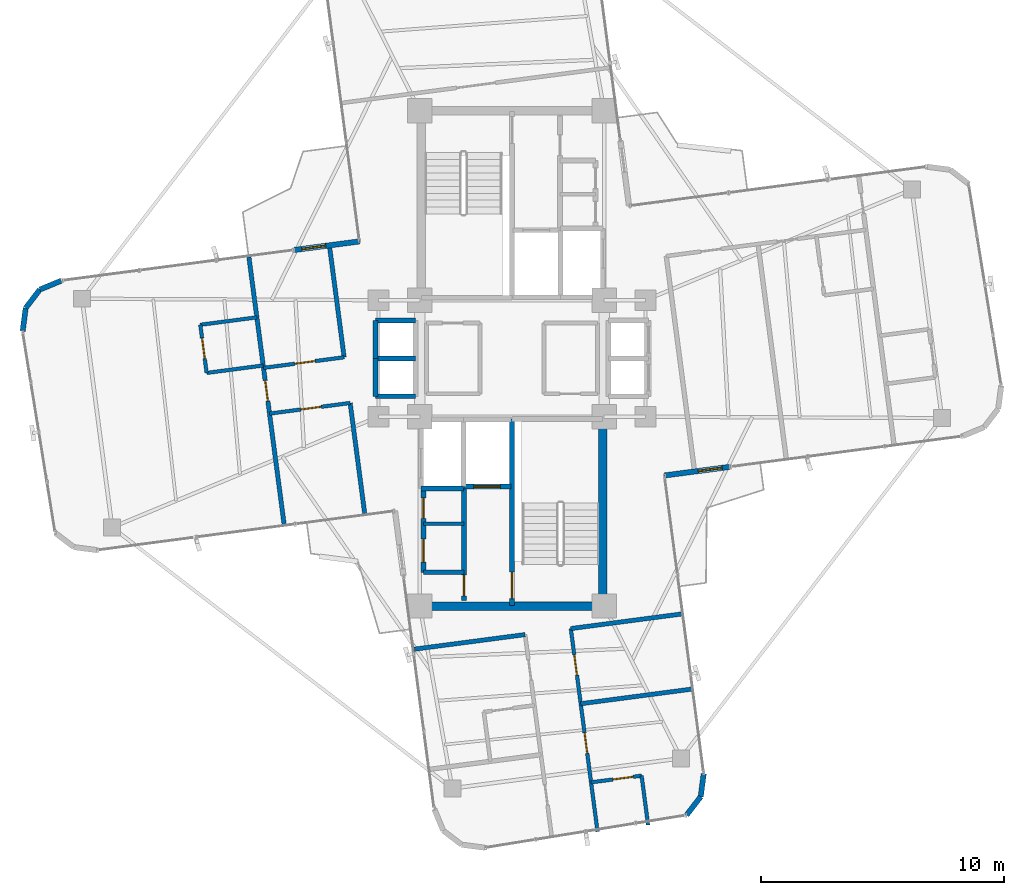
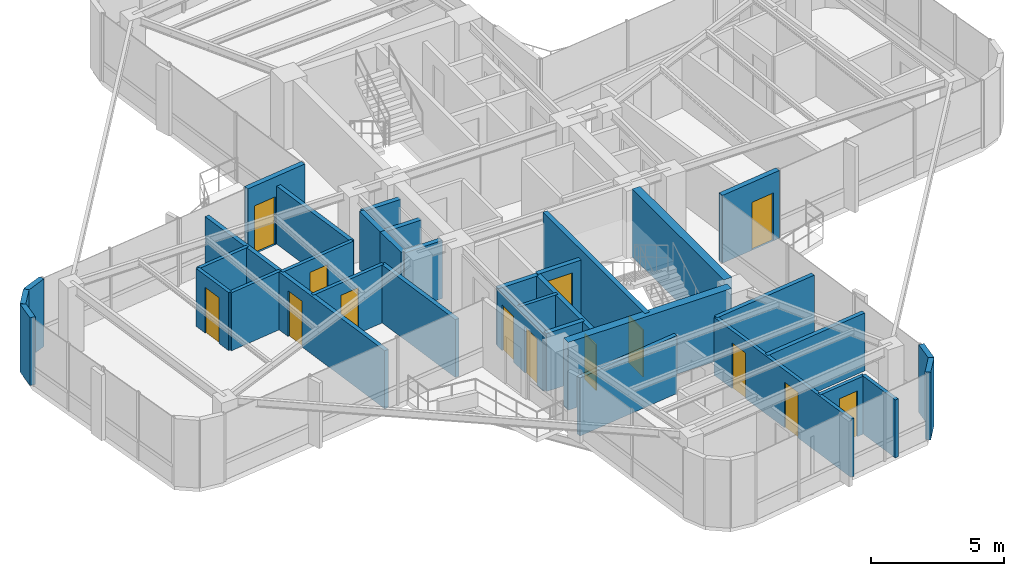
# One storey, part 19 of 22: 35 walls, 14 doors, 14 openings.
"""IFC4 building model written with IfcOpenShell, lengths in metres."""

from ifc_helpers import new_model, si_unit, direction, frame, frame_2d, origin, origin_2d, place, context, subcontext, project, spatial, rectangle, extrude, source, transform, mapped, material, layer, layer_set, type_object, element, fill, save


model = new_model("IFC4")

# Units and contexts
model_context = context("Model", 3, precision=1e-05, world=origin(), true_north=direction((0.0, 1.0)))
body_context = subcontext(model_context, "Body", "Model", "MODEL_VIEW")
ifc_project = project(units=[si_unit("LENGTHUNIT", "METRE"), si_unit("AREAUNIT", "SQUARE_METRE"), si_unit("VOLUMEUNIT", "CUBIC_METRE"), si_unit("PLANEANGLEUNIT", "RADIAN"), si_unit("MASSUNIT", "GRAM", prefix="KILO")], contexts=[model_context])

# Site, building, storey
site_placement = place(None, origin())
site = spatial("IfcSite", under=ifc_project, at=site_placement, CompositionType="ELEMENT")
building_placement = place(site_placement, origin())
building = spatial("IfcBuilding", under=site, at=building_placement, Name="Sahyath Konkavel Grand Hotel", CompositionType="ELEMENT")
storey_placement = place(building_placement, frame((0.0, 0.0, 269.10009765625)))
storey = spatial("IfcBuildingStorey", under=building, at=storey_placement, Name="L75", CompositionType="ELEMENT", Elevation=269.10009765625)

# Walls
ifc_material_1 = material(Name="Concrete C40/50", Category="concrete")
ifc_layer_1 = layer(ifc_material_1, 0.35009765625)
ifc_layer_set_1 = layer_set([ifc_layer_1], Name="Concrete C40/50")
wall_type_1 = type_object("IfcWallType", Name="CWALL-350", PredefinedType="SHEAR", material=ifc_layer_set_1)
wall_1_placement = place(storey_placement, frame((-3.550048828125, -10.199951171875, 0.0), z_axis=(0.0, 0.0, 1.0), x_axis=(1.0, 0.0, 0.0)))
element("IfcWall", 1, at=wall_1_placement, inside=storey, type_object=wall_type_1, Name="L75 South Core Shear Wall S", PredefinedType="SHEAR", context=body_context, shape_type="SweptSolid", body=[
    extrude(rectangle(XDim=7.10009765625, YDim=0.35009765625, at=frame_2d((3.550048828125, 0.0))), origin(), (0.0, 0.0, 1.0), 3.10986328125),
])
wall_2_placement = place(storey_placement, frame((3.739990234375, -9.75, 0.0), z_axis=(0.0, 0.0, 1.0), x_axis=(0.0, 1.0, 0.0)))
element("IfcWall", 2, at=wall_2_placement, inside=storey, type_object=wall_type_1, Name="L75 South Core Shear Wall E", PredefinedType="SHEAR", context=body_context, shape_type="SweptSolid", body=[
    extrude(rectangle(XDim=6.89990234375, YDim=0.35009765625, at=frame_2d((3.449951171875, 0.0))), origin(), (0.0, 0.0, 1.0), 3.10986328125),
])

# Wall, opening, door
ifc_material_2 = material(Name="Warm Buff Sandstone Insulated Concrete C40/50", Category="masonry")
ifc_layer_2 = layer(ifc_material_2, 0.219970703125)
ifc_layer_set_2 = layer_set([ifc_layer_2], Name="Warm Buff Sandstone Insulated Concrete C40/50")
wall_type_2 = type_object("IfcWallType", Name="WLL-BALC-THRESH", PredefinedType="STANDARD", material=ifc_layer_set_2)
wall_3_placement = place(storey_placement, frame((6.282958984375, -4.821044921875, 0.0), z_axis=(0.0, 0.0, 1.0), x_axis=(0.991451525486, 0.130475563272, 0.0)))
wall_3 = element("IfcWall", 3, at=wall_3_placement, inside=storey, type_object=wall_type_2, Name="L75 Winter-Garden Threshold Wall 0", PredefinedType="STANDARD", context=body_context, shape_type="SweptSolid", body=[
    extrude(rectangle(XDim=2.7001953125, YDim=0.219970703125, at=frame_2d((1.35009765625, 0.0))), origin(), (0.0, 0.0, 1.0), 3.10986328125),
])
opening_1_placement = place(wall_3_placement, frame((1.39990234375, 0.0, 0.0)))
opening_1 = element("IfcOpeningElement", 4, at=opening_1_placement, cuts=wall_3, Name="Opening D-TR1", PredefinedType="OPENING", context=body_context, shape_type="SweptSolid", body=[
    extrude(rectangle(XDim=1.0, YDim=2.199951171875, at=frame_2d((0.5, 1.10009765625))), frame((0.0, 0.1201171875, 0.0), z_axis=(0.0, -1.0, 0.0), x_axis=(1.0, 0.0, 0.0)), (0.0, 0.0, 1.0), 0.239990234375),
])
ifc_material_3 = material(Name="Anodised Bronze Aluminium & Low-E Glazing", Category="aluminium")
door_type_1 = type_object("IfcDoorType", Name="DR-TERRACE-1000", OperationType="NOTDEFINED", PredefinedType="DOOR", material=ifc_material_3)
shared_shape_1 = source(origin(), body_context, "Body", "SweptSolid", [
    extrude(rectangle(XDim=1.0, YDim=0.050048828125, at=origin_2d()), origin(), (0.0, 0.0, 1.0), 2.199951171875),
])
door_1_placement = place(opening_1_placement, frame((0.5, 0.0, 0.0)))
door_1 = element("IfcDoor", 5, at=door_1_placement, inside=storey, type_object=door_type_1, Name="L75 Winter-Garden Terrace Door 0", OperationType="SINGLE_SWING_LEFT", OverallHeight=2.199951171875, OverallWidth=1.0, PredefinedType="DOOR", context=body_context, shape_type="MappedRepresentation", body=[
    mapped(shared_shape_1, transform((0.0, 0.0, 0.0), scale=1.0)),
])
fill(opening_1, door_1)

wall_4_placement = place(storey_placement, frame((-6.282958984375, 4.821044921875, 0.0), z_axis=(0.0, 0.0, 1.0), x_axis=(-0.991451525486, -0.130475563272, 0.0)))
wall_4 = element("IfcWall", 6, at=wall_4_placement, inside=storey, type_object=wall_type_2, Name="L75 Winter-Garden Threshold Wall 16", PredefinedType="STANDARD", context=body_context, shape_type="SweptSolid", body=[
    extrude(rectangle(XDim=2.7001953125, YDim=0.219970703125, at=frame_2d((1.35009765625, 0.0))), origin(), (0.0, 0.0, 1.0), 3.10986328125),
])
opening_2_placement = place(wall_4_placement, frame((1.39990234375, 0.0, 0.0)))
opening_2 = element("IfcOpeningElement", 7, at=opening_2_placement, cuts=wall_4, Name="Opening D-TR1", PredefinedType="OPENING", context=body_context, shape_type="SweptSolid", body=[
    extrude(rectangle(XDim=1.0, YDim=2.199951171875, at=frame_2d((0.5, 1.10009765625))), frame((0.0, 0.1201171875, 0.0), z_axis=(0.0, -1.0, 0.0), x_axis=(1.0, 0.0, 0.0)), (0.0, 0.0, 1.0), 0.239990234375),
])
door_2_placement = place(opening_2_placement, frame((0.5, 0.0, 0.0)))
door_2 = element("IfcDoor", 8, at=door_2_placement, inside=storey, type_object=door_type_1, Name="L75 Winter-Garden Terrace Door 16", OperationType="SINGLE_SWING_LEFT", OverallHeight=2.199951171875, OverallWidth=1.0, PredefinedType="DOOR", context=body_context, shape_type="MappedRepresentation", body=[
    mapped(shared_shape_1, transform((0.0, 0.0, 0.0), scale=1.0)),
])
fill(opening_2, door_2)

# Walls
wall_5_placement = place(storey_placement, frame((-18.56689453125, 3.203857421875, 0.0), z_axis=(0.0, 0.0, 1.0), x_axis=(-0.923926759112, -0.382569397359, 0.0)))
element("IfcWall", 9, at=wall_5_placement, inside=storey, type_object=wall_type_2, Name="L75 Rounded Corner Sandstone Pier 17", PredefinedType="STANDARD", context=body_context, shape_type="SweptSolid", body=[
    extrude(rectangle(XDim=0.957763671875, YDim=0.219970703125, at=frame_2d((0.47900390625, 0.0))), origin(), (0.0, 0.0, 1.0), 3.10986328125),
])
for number, where, z_axis, x_axis, name in (
    (10, (-19.451904296875, 2.83740234375, 0.0), (0.0, 0.0, 1.0), (-0.60861352168, -0.793466811674, 0.0), "L75 Rounded Corner Sandstone Pier 18"),
    (11, (-20.03466796875, 2.07763671875, 0.0), (0.0, 0.0, 1.0), (-0.13056005306, -0.991440402921, 0.0), "L75 Rounded Corner Sandstone Pier 19"),
    (12, (7.1923828125, -18.814208984375, 0.0), (0.0, 0.0, 1.0), (0.608897151398, 0.793249178392, 0.0), "L75 Rounded Corner Sandstone Pier 29"),
):
    element("IfcWall", number, at=place(storey_placement, frame(where, z_axis=z_axis, x_axis=x_axis)), inside=storey, type_object=wall_type_2, Name=name, PredefinedType="STANDARD", context=body_context, shape_type="SweptSolid", body=[
        extrude(rectangle(XDim=0.95751953125, YDim=0.219970703125, at=frame_2d((0.478759765625, 0.0))), origin(), (0.0, 0.0, 1.0), 3.10986328125),
    ])
wall_6_placement = place(storey_placement, frame((7.775390625, -18.0546875, 0.0), z_axis=(0.0, 0.0, 1.0), x_axis=(0.130494070426, 0.991449089759, 0.0)))
element("IfcWall", 13, at=wall_6_placement, inside=storey, type_object=wall_type_2, Name="L75 Rounded Corner Sandstone Pier 30", PredefinedType="STANDARD", context=body_context, shape_type="SweptSolid", body=[
    extrude(rectangle(XDim=0.9580078125, YDim=0.219970703125, at=frame_2d((0.47900390625, 0.0))), origin(), (0.0, 0.0, 1.0), 3.10986328125),
])

# Wall, opening, door
ifc_layer_3 = layer(ifc_material_1, 0.199951171875)
ifc_layer_set_3 = layer_set([ifc_layer_3], Name="Concrete C40/50")
wall_type_3 = type_object("IfcWallType", Name="WLL-CORE-200", PredefinedType="SOLIDWALL", material=ifc_layer_set_3)
wall_7_placement = place(storey_placement, frame((0.0, -10.179931640625, 0.0), z_axis=(0.0, 0.0, 1.0), x_axis=(0.0, 1.0, 0.0)))
wall_7 = element("IfcWall", 14, at=wall_7_placement, inside=storey, type_object=wall_type_3, Name="L75 Stair ST-2 Shaft Wall W", PredefinedType="SOLIDWALL", context=body_context, shape_type="SweptSolid", body=[
    extrude(rectangle(XDim=7.679931640625, YDim=0.199951171875, at=frame_2d((3.83984375, 0.0))), origin(), (0.0, 0.0, 1.0), 3.10986328125),
])
opening_3_placement = place(wall_7_placement, frame((0.280029296875, 0.0, 0.0)))
opening_3 = element("IfcOpeningElement", 15, at=opening_3_placement, cuts=wall_7, Name="Opening D-F12B", PredefinedType="OPENING", context=body_context, shape_type="SweptSolid", body=[
    extrude(rectangle(XDim=1.10009765625, YDim=2.14990234375, at=frame_2d((0.550048828125, 1.074951171875))), frame((0.0, 0.10986328125, 0.0), z_axis=(0.0, -1.0, 0.0), x_axis=(1.0, 0.0, 0.0)), (0.0, 0.0, 1.0), 0.219970703125),
])
ifc_material_4 = material(Name="Steel E350 Smokeproof Fire Door", Category="steel")
door_type_2 = type_object("IfcDoorType", Name="DR-FD120-1100", OperationType="NOTDEFINED", PredefinedType="DOOR", material=ifc_material_4)
shared_shape_2 = source(origin(), body_context, "Body", "SweptSolid", [
    extrude(rectangle(XDim=1.10009765625, YDim=0.050048828125, at=origin_2d()), origin(), (0.0, 0.0, 1.0), 2.14990234375),
])
door_3_placement = place(opening_3_placement, frame((0.550048828125, 0.0, 0.0)))
door_3 = element("IfcDoor", 16, at=door_3_placement, inside=storey, type_object=door_type_2, Name="L75 Stair ST-2 Fire Door", OperationType="SINGLE_SWING_RIGHT", OverallHeight=2.14990234375, OverallWidth=1.10009765625, PredefinedType="DOOR", context=body_context, shape_type="MappedRepresentation", body=[
    mapped(shared_shape_2, transform((0.0, 0.0, 0.0), scale=1.0)),
])
fill(opening_3, door_3)

wall_8_placement = place(storey_placement, frame((-1.97998046875, -9.97998046875, 0.0), z_axis=(0.0, 0.0, 1.0), x_axis=(0.0, 1.0, 0.0)))
wall_8 = element("IfcWall", 17, at=wall_8_placement, inside=storey, type_object=wall_type_3, Name="L75 South Firefighting Lobby Wall W", PredefinedType="SOLIDWALL", context=body_context, shape_type="SweptSolid", body=[
    extrude(rectangle(XDim=4.659912109375, YDim=0.199951171875, at=frame_2d((2.330078125, 0.0))), origin(), (0.0, 0.0, 1.0), 2.659912109375),
])
opening_4_placement = place(wall_8_placement, frame((0.199951171875, 0.0, 0.0)))
opening_4 = element("IfcOpeningElement", 18, at=opening_4_placement, cuts=wall_8, Name="Opening D-F12D", PredefinedType="OPENING", context=body_context, shape_type="SweptSolid", body=[
    extrude(rectangle(XDim=0.85009765625, YDim=2.10009765625, at=frame_2d((0.425048828125, 1.050048828125))), frame((0.0, 0.10986328125, 0.0), z_axis=(0.0, -1.0, 0.0), x_axis=(1.0, 0.0, 0.0)), (0.0, 0.0, 1.0), 0.219970703125),
])
ifc_material_5 = material(Name="Steel E350 Core Fire Door", Category="steel")
door_type_3 = type_object("IfcDoorType", Name="DR-FD120-850", OperationType="NOTDEFINED", PredefinedType="DOOR", material=ifc_material_5)
shared_shape_3 = source(origin(), body_context, "Body", "SweptSolid", [
    extrude(rectangle(XDim=0.85009765625, YDim=0.050048828125, at=origin_2d()), origin(), (0.0, 0.0, 1.0), 2.10009765625),
])
door_4_placement = place(opening_4_placement, frame((0.425048828125, 0.0, 0.0)))
door_4 = element("IfcDoor", 19, at=door_4_placement, inside=storey, type_object=door_type_3, Name="L75 South Firefighting Lobby Door", OperationType="SINGLE_SWING_RIGHT", OverallHeight=2.10009765625, OverallWidth=0.85009765625, PredefinedType="DOOR", context=body_context, shape_type="MappedRepresentation", body=[
    mapped(shared_shape_3, transform((0.0, 0.0, 0.0), scale=1.0)),
])
fill(opening_4, door_4)

wall_9_placement = place(storey_placement, frame((-1.97998046875, -5.280029296875, 0.0), z_axis=(0.0, 0.0, 1.0), x_axis=(1.0, 0.0, 0.0)))
wall_9 = element("IfcWall", 20, at=wall_9_placement, inside=storey, type_object=wall_type_3, Name="L75 Partition SH-FFL2-S", PredefinedType="SOLIDWALL", context=body_context, shape_type="SweptSolid", body=[
    extrude(rectangle(XDim=1.929931640625, YDim=0.199951171875, at=frame_2d((0.96484375, 0.0))), origin(), (0.0, 0.0, 1.0), 2.659912109375),
])
opening_5_placement = place(wall_9_placement, frame((0.39990234375, 0.0, 0.0)))
opening_5 = element("IfcOpeningElement", 21, at=opening_5_placement, cuts=wall_9, Name="Opening LD-11", PredefinedType="OPENING", context=body_context, shape_type="SweptSolid", body=[
    extrude(rectangle(XDim=1.10009765625, YDim=2.199951171875, at=frame_2d((0.550048828125, 1.10009765625))), frame((0.0, 0.10986328125, 0.0), z_axis=(0.0, -1.0, 0.0), x_axis=(1.0, 0.0, 0.0)), (0.0, 0.0, 1.0), 0.219970703125),
])
ifc_material_6 = material(Name="Bronze Lift Landing Door 1100")
door_type_4 = type_object("IfcDoorType", Name="DR-LIFT-1100", OperationType="DOUBLE_DOOR_SLIDING", PredefinedType="DOOR", material=ifc_material_6)
shared_shape_4 = source(origin(), body_context, "Body", "SweptSolid", [
    extrude(rectangle(XDim=1.10009765625, YDim=0.050048828125, at=origin_2d()), origin(), (0.0, 0.0, 1.0), 2.199951171875),
])
door_5_placement = place(opening_5_placement, frame((0.550048828125, 0.0, 0.0)))
door_5 = element("IfcDoor", 22, at=door_5_placement, inside=storey, type_object=door_type_4, Name="L75 Lift FFL-2 Landing Door", OperationType="DOUBLE_DOOR_SLIDING", OverallHeight=2.199951171875, OverallWidth=1.10009765625, PredefinedType="DOOR", context=body_context, shape_type="MappedRepresentation", body=[
    mapped(shared_shape_4, transform((0.0, 0.0, 0.0), scale=1.0)),
])
fill(opening_5, door_5)

# Walls
wall_10_placement = place(storey_placement, frame((-3.739990234375, -5.360107421875, 0.0), z_axis=(0.0, 0.0, 1.0), x_axis=(1.0, 0.0, 0.0)))
element("IfcWall", 23, at=wall_10_placement, inside=storey, type_object=wall_type_3, Name="L75 Partition SH-SVL2-S", PredefinedType="SOLIDWALL", context=body_context, shape_type="SweptSolid", body=[
    extrude(rectangle(XDim=1.739990234375, YDim=0.199951171875, at=frame_2d((0.8701171875, 0.0))), origin(), (0.0, 0.0, 1.0), 2.659912109375),
])
for number, where, z_axis, x_axis, name in (
    (24, (-5.6201171875, 1.56005859375, 0.0), (0.0, 0.0, 1.0), (1.0, 0.0, 0.0), "L75 Partition SH-SL12-N"),
    (25, (-5.6201171875, -1.56005859375, 0.0), (0.0, 0.0, 1.0), (1.0, 0.0, 0.0), "L75 Partition SH-SL12-S"),
    (26, (-5.6201171875, 0.0, 0.0), (0.0, 0.0, 1.0), (1.0, 0.0, 0.0), "L75 Partition SH-SL12-M"),
):
    element("IfcWall", number, at=place(storey_placement, frame(where, z_axis=z_axis, x_axis=x_axis)), inside=storey, type_object=wall_type_3, Name=name, PredefinedType="SOLIDWALL", context=body_context, shape_type="SweptSolid", body=[
        extrude(rectangle(XDim=1.64013671875, YDim=0.199951171875, at=frame_2d((0.820068359375, 0.0))), origin(), (0.0, 0.0, 1.0), 2.659912109375),
    ])
for number, where, z_axis, x_axis, name in (
    (27, (-5.6201171875, 0.0, 0.0), (0.0, 0.0, 1.0), (0.0, 1.0, 0.0), "L75 Partition SH-SL1-W"),
    (28, (-5.6201171875, -1.56005859375, 0.0), (0.0, 0.0, 1.0), (0.0, 1.0, 0.0), "L75 Partition SH-SL2-W"),
):
    element("IfcWall", number, at=place(storey_placement, frame(where, z_axis=z_axis, x_axis=x_axis)), inside=storey, type_object=wall_type_3, Name=name, PredefinedType="SOLIDWALL", context=body_context, shape_type="SweptSolid", body=[
        extrude(rectangle(XDim=1.56005859375, YDim=0.199951171875, at=frame_2d((0.780029296875, 0.0))), origin(), (0.0, 0.0, 1.0), 2.659912109375),
    ])

# Wall, openings, doors
wall_11_placement = place(storey_placement, frame((-3.64990234375, -8.81005859375, 0.0), z_axis=(0.0, 0.0, 1.0), x_axis=(0.0, 1.0, 0.0)))
wall_11 = element("IfcWall", 29, at=wall_11_placement, inside=storey, type_object=wall_type_3, Name="L75 Reclaimed South Core Wall W", PredefinedType="SOLIDWALL", context=body_context, shape_type="SweptSolid", body=[
    extrude(rectangle(XDim=3.43017578125, YDim=0.199951171875, at=frame_2d((1.715087890625, 0.0))), origin(), (0.0, 0.0, 1.0), 2.659912109375),
])
opening_6_placement = place(wall_11_placement, frame((0.419921875, 0.0, 0.0)))
opening_6 = element("IfcOpeningElement", 30, at=opening_6_placement, cuts=wall_11, Name="Opening D-AC95", PredefinedType="OPENING", context=body_context, shape_type="SweptSolid", body=[
    extrude(rectangle(XDim=0.949951171875, YDim=2.14990234375, at=frame_2d((0.47509765625, 1.074951171875))), frame((0.0, 0.10986328125, 0.0), z_axis=(0.0, -1.0, 0.0), x_axis=(1.0, 0.0, 0.0)), (0.0, 0.0, 1.0), 0.219970703125),
])
opening_7_placement = place(wall_11_placement, frame((2.219970703125, 0.0, 0.0)))
opening_7 = element("IfcOpeningElement", 31, at=opening_7_placement, cuts=wall_11, Name="Opening D-F06D", PredefinedType="OPENING", context=body_context, shape_type="SweptSolid", body=[
    extrude(rectangle(XDim=0.85009765625, YDim=2.10009765625, at=frame_2d((0.425048828125, 1.050048828125))), frame((0.0, 0.10986328125, 0.0), z_axis=(0.0, -1.0, 0.0), x_axis=(1.0, 0.0, 0.0)), (0.0, 0.0, 1.0), 0.219970703125),
])
ifc_material_7 = material(Name="Accessible Washroom Timber Door", Category="wood")
door_type_5 = type_object("IfcDoorType", Name="DR-ACC-950", OperationType="NOTDEFINED", PredefinedType="DOOR", material=ifc_material_7)
shared_shape_5 = source(origin(), body_context, "Body", "SweptSolid", [
    extrude(rectangle(XDim=0.949951171875, YDim=0.050048828125, at=origin_2d()), origin(), (0.0, 0.0, 1.0), 2.14990234375),
])
door_6_placement = place(opening_6_placement, frame((0.47509765625, 0.0, 0.0)))
door_6 = element("IfcDoor", 32, at=door_6_placement, inside=storey, type_object=door_type_5, Name="L75 Door SC-REC1-D", OperationType="SINGLE_SWING_LEFT", OverallHeight=2.14990234375, OverallWidth=0.949951171875, PredefinedType="DOOR", context=body_context, shape_type="MappedRepresentation", body=[
    mapped(shared_shape_5, transform((0.0, 0.0, 0.0), scale=1.0)),
])
fill(opening_6, door_6)
ifc_material_8 = material(Name="Fire-Rated Shaft Access Door")
door_type_6 = type_object("IfcDoorType", Name="DR-FD60-850", OperationType="NOTDEFINED", PredefinedType="DOOR", material=ifc_material_8)
door_7_placement = place(opening_7_placement, frame((0.425048828125, 0.0, 0.0)))
door_7 = element("IfcDoor", 33, at=door_7_placement, inside=storey, type_object=door_type_6, Name="L75 Door SC-REC2-D", OperationType="SINGLE_SWING_RIGHT", OverallHeight=2.10009765625, OverallWidth=0.85009765625, PredefinedType="DOOR", context=body_context, shape_type="MappedRepresentation", body=[
    mapped(shared_shape_3, transform((0.0, 0.0, 0.0), scale=1.0)),
])
fill(opening_7, door_7)

# Walls
wall_12_placement = place(storey_placement, frame((-3.64990234375, -8.81005859375, 0.0), z_axis=(0.0, 0.0, 1.0), x_axis=(1.0, 0.0, 0.0)))
element("IfcWall", 34, at=wall_12_placement, inside=storey, type_object=wall_type_3, Name="L75 Partition SC-REC-S", PredefinedType="SOLIDWALL", context=body_context, shape_type="SweptSolid", body=[
    extrude(rectangle(XDim=1.669921875, YDim=0.199951171875, at=frame_2d((0.8349609375, 0.0))), origin(), (0.0, 0.0, 1.0), 2.659912109375),
])
ifc_material_9 = material(Name="Twin-Stud Acoustic Gypsum Plasterboard Partition")
ifc_layer_4 = layer(ifc_material_9, 0.179931640625)
ifc_layer_set_4 = layer_set([ifc_layer_4], Name="Twin-Stud Acoustic Gypsum Plasterboard Partition")
wall_type_4 = type_object("IfcWallType", Name="WLL-DEMISE-180", PredefinedType="PARTITIONING", material=ifc_layer_set_4)
for number, where, z_axis, x_axis, name in (
    (35, (-6.66748046875, -1.8359375, 0.0), (0.0, 0.0, 1.0), (0.130564346904, -0.991439837467, 0.0), "L75 Partition W-INL"),
    (36, (-7.515869140625, 4.6083984375, 0.0), (0.0, 0.0, 1.0), (0.130564346904, -0.991439837467, 0.0), "L75 Partition W-INR"),
):
    element("IfcWall", number, at=place(storey_placement, frame(where, z_axis=z_axis, x_axis=x_axis)), inside=storey, type_object=wall_type_4, Name=name, PredefinedType="PARTITIONING", context=body_context, shape_type="SweptSolid", body=[
        extrude(rectangle(XDim=4.599853515625, YDim=0.179931640625, at=frame_2d((2.2998046875, 0.0))), origin(), (0.0, 0.0, 1.0), 2.659912109375),
    ])

# Wall, opening, door
wall_13_placement = place(storey_placement, frame((-10.837158203125, 4.171142578125, 0.0), z_axis=(0.0, 0.0, 1.0), x_axis=(0.130537009991, -0.991443437127, 0.0)))
wall_13 = element("IfcWall", 37, at=wall_13_placement, inside=storey, type_object=wall_type_4, Name="L75 Partition W-WTIP-END", PredefinedType="PARTITIONING", context=body_context, shape_type="SweptSolid", body=[
    extrude(rectangle(XDim=11.10009765625, YDim=0.179931640625, at=frame_2d((5.550048828125, 0.0))), origin(), (0.0, 0.0, 1.0), 2.659912109375),
])
opening_8_placement = place(wall_13_placement, frame((5.125, 0.0, 0.0)))
opening_8 = element("IfcOpeningElement", 38, at=opening_8_placement, cuts=wall_13, Name="Opening D-F06D", PredefinedType="OPENING", context=body_context, shape_type="SweptSolid", body=[
    extrude(rectangle(XDim=0.85009765625, YDim=2.10009765625, at=frame_2d((0.425048828125, 1.050048828125))), frame((0.0, 0.10009765625, 0.0), z_axis=(0.0, -1.0, 0.0), x_axis=(1.0, 0.0, 0.0)), (0.0, 0.0, 1.0), 0.199951171875),
])
door_8_placement = place(opening_8_placement, frame((0.425048828125, 0.0, 0.0)))
door_8 = element("IfcDoor", 39, at=door_8_placement, inside=storey, type_object=door_type_6, Name="L75 Door W-WTIP-ED", OperationType="SINGLE_SWING_LEFT", OverallHeight=2.10009765625, OverallWidth=0.85009765625, PredefinedType="DOOR", context=body_context, shape_type="MappedRepresentation", body=[
    mapped(shared_shape_3, transform((0.0, 0.0, 0.0), scale=1.0)),
])
fill(opening_8, door_8)

# Walls
for number, where, z_axis, x_axis, name in (
    (40, (2.42333984375, -11.12890625, 0.0), (0.0, 0.0, 1.0), (0.991446706518, 0.130512176195, 0.0), "L75 Partition S-INL"),
    (41, (-4.02099609375, -11.977294921875, 0.0), (0.0, 0.0, 1.0), (0.991446706518, 0.130512176195, 0.0), "L75 Partition S-INR"),
    (42, (2.8310546875, -14.22509765625, 0.0), (0.0, 0.0, 1.0), (0.991446706518, 0.130512176195, 0.0), "L75 Partition S-S1L-DEM"),
):
    element("IfcWall", number, at=place(storey_placement, frame(where, z_axis=z_axis, x_axis=x_axis)), inside=storey, type_object=wall_type_4, Name=name, PredefinedType="PARTITIONING", context=body_context, shape_type="SweptSolid", body=[
        extrude(rectangle(XDim=4.599853515625, YDim=0.179931640625, at=frame_2d((2.2998046875, 0.0))), origin(), (0.0, 0.0, 1.0), 2.659912109375),
    ])
ifc_material_10 = material(Name="Fire-Rated Gypsum Plasterboard Partition")
ifc_layer_5 = layer(ifc_material_10, 0.14990234375)
ifc_layer_set_5 = layer_set([ifc_layer_5], Name="Fire-Rated Gypsum Plasterboard Partition")
wall_type_5 = type_object("IfcWallType", Name="WLL-PART-150", PredefinedType="PARTITIONING", material=ifc_layer_set_5)
wall_14_placement = place(storey_placement, frame((-3.64990234375, -6.81005859375, 0.0), z_axis=(0.0, 0.0, 1.0), x_axis=(1.0, 0.0, 0.0)))
element("IfcWall", 43, at=wall_14_placement, inside=storey, type_object=wall_type_5, Name="L75 Partition SC-REC-M1", PredefinedType="PARTITIONING", context=body_context, shape_type="SweptSolid", body=[
    extrude(rectangle(XDim=1.669921875, YDim=0.14990234375, at=frame_2d((0.8349609375, 0.0))), origin(), (0.0, 0.0, 1.0), 2.659912109375),
])

# Wall, opening, door
wall_15_placement = place(storey_placement, frame((-6.66748046875, -1.8359375, 0.0), z_axis=(0.0, 0.0, 1.0), x_axis=(-0.991444866817, -0.130526150873, 0.0)))
wall_15 = element("IfcWall", 44, at=wall_15_placement, inside=storey, type_object=wall_type_5, Name="L75 Partition W-CL", PredefinedType="PARTITIONING", context=body_context, shape_type="SweptSolid", body=[
    extrude(rectangle(XDim=3.349853515625, YDim=0.14990234375, at=frame_2d((1.6748046875, 0.0))), origin(), (0.0, 0.0, 1.0), 2.659912109375),
])
opening_9_placement = place(wall_15_placement, frame((1.199951171875, 0.0, 0.0)))
opening_9 = element("IfcOpeningElement", 45, at=opening_9_placement, cuts=wall_15, Name="Opening D-F06D", PredefinedType="OPENING", context=body_context, shape_type="SweptSolid", body=[
    extrude(rectangle(XDim=0.85009765625, YDim=2.10009765625, at=frame_2d((0.425048828125, 1.050048828125))), frame((0.0, 0.0849609375, 0.0), z_axis=(0.0, -1.0, 0.0), x_axis=(1.0, 0.0, 0.0)), (0.0, 0.0, 1.0), 0.169921875),
])
door_9_placement = place(opening_9_placement, frame((0.425048828125, 0.0, 0.0)))
door_9 = element("IfcDoor", 46, at=door_9_placement, inside=storey, type_object=door_type_6, Name="L75 Door W-WS3L-D", OperationType="SINGLE_SWING_RIGHT", OverallHeight=2.10009765625, OverallWidth=0.85009765625, PredefinedType="DOOR", context=body_context, shape_type="MappedRepresentation", body=[
    mapped(shared_shape_3, transform((0.0, 0.0, 0.0), scale=1.0)),
])
fill(opening_9, door_9)

wall_16_placement = place(storey_placement, frame((-6.915283203125, 0.0478515625, 0.0), z_axis=(0.0, 0.0, 1.0), x_axis=(-0.991446108327, -0.130516720324, 0.0)))
wall_16 = element("IfcWall", 47, at=wall_16_placement, inside=storey, type_object=wall_type_5, Name="L75 Partition W-CR", PredefinedType="PARTITIONING", context=body_context, shape_type="SweptSolid", body=[
    extrude(rectangle(XDim=3.35009765625, YDim=0.14990234375, at=frame_2d((1.675048828125, 0.0))), origin(), (0.0, 0.0, 1.0), 2.659912109375),
])
opening_10_placement = place(wall_16_placement, frame((1.199951171875, 0.0, 0.0)))
opening_10 = element("IfcOpeningElement", 48, at=opening_10_placement, cuts=wall_16, Name="Opening D-F06D", PredefinedType="OPENING", context=body_context, shape_type="SweptSolid", body=[
    extrude(rectangle(XDim=0.85009765625, YDim=2.10009765625, at=frame_2d((0.425048828125, 1.050048828125))), frame((0.0, 0.0849609375, 0.0), z_axis=(0.0, -1.0, 0.0), x_axis=(1.0, 0.0, 0.0)), (0.0, 0.0, 1.0), 0.169921875),
])
door_10_placement = place(opening_10_placement, frame((0.425048828125, 0.0, 0.0)))
door_10 = element("IfcDoor", 49, at=door_10_placement, inside=storey, type_object=door_type_6, Name="L75 Door W-WS3R-D", OperationType="SINGLE_SWING_LEFT", OverallHeight=2.10009765625, OverallWidth=0.85009765625, PredefinedType="DOOR", context=body_context, shape_type="MappedRepresentation", body=[
    mapped(shared_shape_3, transform((0.0, 0.0, 0.0), scale=1.0)),
])
fill(opening_10, door_10)

# Walls
wall_17_placement = place(storey_placement, frame((-10.249755859375, -0.290283203125, 0.0), z_axis=(0.0, 0.0, 1.0), x_axis=(-0.991436251812, -0.130591571678, 0.0)))
element("IfcWall", 50, at=wall_17_placement, inside=storey, type_object=wall_type_5, Name="L75 Partition W-WTIP-BN", PredefinedType="PARTITIONING", context=body_context, shape_type="SweptSolid", body=[
    extrude(rectangle(XDim=2.349853515625, YDim=0.14990234375, at=frame_2d((1.1748046875, 0.0))), origin(), (0.0, 0.0, 1.0), 2.659912109375),
])
wall_18_placement = place(storey_placement, frame((-10.5107421875, 1.6923828125, 0.0), z_axis=(0.0, 0.0, 1.0), x_axis=(-0.991451466659, -0.130476010281, 0.0)))
element("IfcWall", 51, at=wall_18_placement, inside=storey, type_object=wall_type_5, Name="L75 Partition W-WTIP-BS", PredefinedType="PARTITIONING", context=body_context, shape_type="SweptSolid", body=[
    extrude(rectangle(XDim=2.35009765625, YDim=0.14990234375, at=frame_2d((1.175048828125, 0.0))), origin(), (0.0, 0.0, 1.0), 2.659912109375),
])

# Wall, opening, door
wall_19_placement = place(storey_placement, frame((-12.8408203125, 1.3857421875, 0.0), z_axis=(0.0, 0.0, 1.0), x_axis=(0.130612392842, -0.991433509034, 0.0)))
wall_19 = element("IfcWall", 52, at=wall_19_placement, inside=storey, type_object=wall_type_5, Name="L75 Partition W-WTIP-BE", PredefinedType="PARTITIONING", context=body_context, shape_type="SweptSolid", body=[
    extrude(rectangle(XDim=2.0, YDim=0.14990234375, at=frame_2d((1.0, 0.0))), origin(), (0.0, 0.0, 1.0), 2.659912109375),
])
opening_11_placement = place(wall_19_placement, frame((0.550048828125, 0.0, 0.0)))
opening_11 = element("IfcOpeningElement", 53, at=opening_11_placement, cuts=wall_19, Name="Opening D-BT85", PredefinedType="OPENING", context=body_context, shape_type="SweptSolid", body=[
    extrude(rectangle(XDim=0.85009765625, YDim=2.10009765625, at=frame_2d((0.425048828125, 1.050048828125))), frame((0.0, 0.0849609375, 0.0), z_axis=(0.0, -1.0, 0.0), x_axis=(1.0, 0.0, 0.0)), (0.0, 0.0, 1.0), 0.169921875),
])
ifc_material_11 = material(Name="Moisture-Resistant Teak Bathroom Door")
door_type_7 = type_object("IfcDoorType", Name="DR-BATH-850", OperationType="NOTDEFINED", PredefinedType="DOOR", material=ifc_material_11)
door_11_placement = place(opening_11_placement, frame((0.425048828125, 0.0, 0.0)))
door_11 = element("IfcDoor", 54, at=door_11_placement, inside=storey, type_object=door_type_7, Name="L75 Door W-WTIP-BD", OperationType="SINGLE_SWING_RIGHT", OverallHeight=2.10009765625, OverallWidth=0.85009765625, PredefinedType="DOOR", context=body_context, shape_type="MappedRepresentation", body=[
    mapped(shared_shape_3, transform((0.0, 0.0, 0.0), scale=1.0)),
])
fill(opening_11, door_11)

# Wall, openings, doors
wall_20_placement = place(storey_placement, frame((2.42333984375, -11.12890625, 0.0), z_axis=(0.0, 0.0, 1.0), x_axis=(0.130518864652, -0.991445826039, 0.0)))
wall_20 = element("IfcWall", 55, at=wall_20_placement, inside=storey, type_object=wall_type_5, Name="L75 Partition S-CL", PredefinedType="PARTITIONING", context=body_context, shape_type="SweptSolid", body=[
    extrude(rectangle(XDim=8.43994140625, YDim=0.14990234375, at=frame_2d((4.219970703125, 0.0))), origin(), (0.0, 0.0, 1.0), 2.659912109375),
])
opening_12_placement = place(wall_20_placement, frame((1.0869140625, 0.0, 0.0)))
opening_12 = element("IfcOpeningElement", 56, at=opening_12_placement, cuts=wall_20, Name="Opening D-F06D", PredefinedType="OPENING", context=body_context, shape_type="SweptSolid", body=[
    extrude(rectangle(XDim=0.85009765625, YDim=2.10009765625, at=frame_2d((0.425048828125, 1.050048828125))), frame((0.0, 0.0849609375, 0.0), z_axis=(0.0, -1.0, 0.0), x_axis=(1.0, 0.0, 0.0)), (0.0, 0.0, 1.0), 0.169921875),
])
opening_13_placement = place(wall_20_placement, frame((4.33203125, 0.0, 0.0)))
opening_13 = element("IfcOpeningElement", 57, at=opening_13_placement, cuts=wall_20, Name="Opening D-F06D", PredefinedType="OPENING", context=body_context, shape_type="SweptSolid", body=[
    extrude(rectangle(XDim=0.85009765625, YDim=2.10009765625, at=frame_2d((0.425048828125, 1.050048828125))), frame((0.0, 0.0849609375, 0.0), z_axis=(0.0, -1.0, 0.0), x_axis=(1.0, 0.0, 0.0)), (0.0, 0.0, 1.0), 0.169921875),
])
door_12_placement = place(opening_12_placement, frame((0.425048828125, 0.0, 0.0)))
door_12 = element("IfcDoor", 58, at=door_12_placement, inside=storey, type_object=door_type_6, Name="L75 Door S-S1L-D", OperationType="SINGLE_SWING_RIGHT", OverallHeight=2.10009765625, OverallWidth=0.85009765625, PredefinedType="DOOR", context=body_context, shape_type="MappedRepresentation", body=[
    mapped(shared_shape_3, transform((0.0, 0.0, 0.0), scale=1.0)),
])
fill(opening_12, door_12)
door_13_placement = place(opening_13_placement, frame((0.425048828125, 0.0, 0.0)))
door_13 = element("IfcDoor", 59, at=door_13_placement, inside=storey, type_object=door_type_6, Name="L75 Door S-S2L-ED", OperationType="SINGLE_SWING_RIGHT", OverallHeight=2.10009765625, OverallWidth=0.85009765625, PredefinedType="DOOR", context=body_context, shape_type="MappedRepresentation", body=[
    mapped(shared_shape_3, transform((0.0, 0.0, 0.0), scale=1.0)),
])
fill(opening_13, door_13)

# Wall, opening, door
wall_21_placement = place(storey_placement, frame((3.25732421875, -17.464111328125, 0.0), z_axis=(0.0, 0.0, 1.0), x_axis=(0.9914558783, 0.13044248305, 0.0)))
wall_21 = element("IfcWall", 60, at=wall_21_placement, inside=storey, type_object=wall_type_5, Name="L75 Partition S-S2L-BS", PredefinedType="PARTITIONING", context=body_context, shape_type="SweptSolid", body=[
    extrude(rectangle(XDim=2.099853515625, YDim=0.14990234375, at=frame_2d((1.0498046875, 0.0))), origin(), (0.0, 0.0, 1.0), 2.659912109375),
])
opening_14_placement = place(wall_21_placement, frame((0.89990234375, 0.0, 0.0)))
opening_14 = element("IfcOpeningElement", 61, at=opening_14_placement, cuts=wall_21, Name="Opening D-BT85", PredefinedType="OPENING", context=body_context, shape_type="SweptSolid", body=[
    extrude(rectangle(XDim=0.85009765625, YDim=2.10009765625, at=frame_2d((0.425048828125, 1.050048828125))), frame((0.0, 0.0849609375, 0.0), z_axis=(0.0, -1.0, 0.0), x_axis=(1.0, 0.0, 0.0)), (0.0, 0.0, 1.0), 0.169921875),
])
door_14_placement = place(opening_14_placement, frame((0.425048828125, 0.0, 0.0)))
door_14 = element("IfcDoor", 62, at=door_14_placement, inside=storey, type_object=door_type_7, Name="L75 Door S-S2L-BD", OperationType="SINGLE_SWING_LEFT", OverallHeight=2.10009765625, OverallWidth=0.85009765625, PredefinedType="DOOR", context=body_context, shape_type="MappedRepresentation", body=[
    mapped(shared_shape_3, transform((0.0, 0.0, 0.0), scale=1.0)),
])
fill(opening_14, door_14)

# Wall
wall_22_placement = place(storey_placement, frame((5.33935546875, -17.190185546875, 0.0), z_axis=(0.0, 0.0, 1.0), x_axis=(0.13052536781, -0.991444969909, 0.0)))
element("IfcWall", 63, at=wall_22_placement, inside=storey, type_object=wall_type_5, Name="L75 Partition S-S2L-BF", PredefinedType="PARTITIONING", context=body_context, shape_type="SweptSolid", body=[
    extrude(rectangle(XDim=2.050048828125, YDim=0.14990234375, at=frame_2d((1.02490234375, 0.0))), origin(), (0.0, 0.0, 1.0), 2.659912109375),
])

save(model, "model.ifc")
